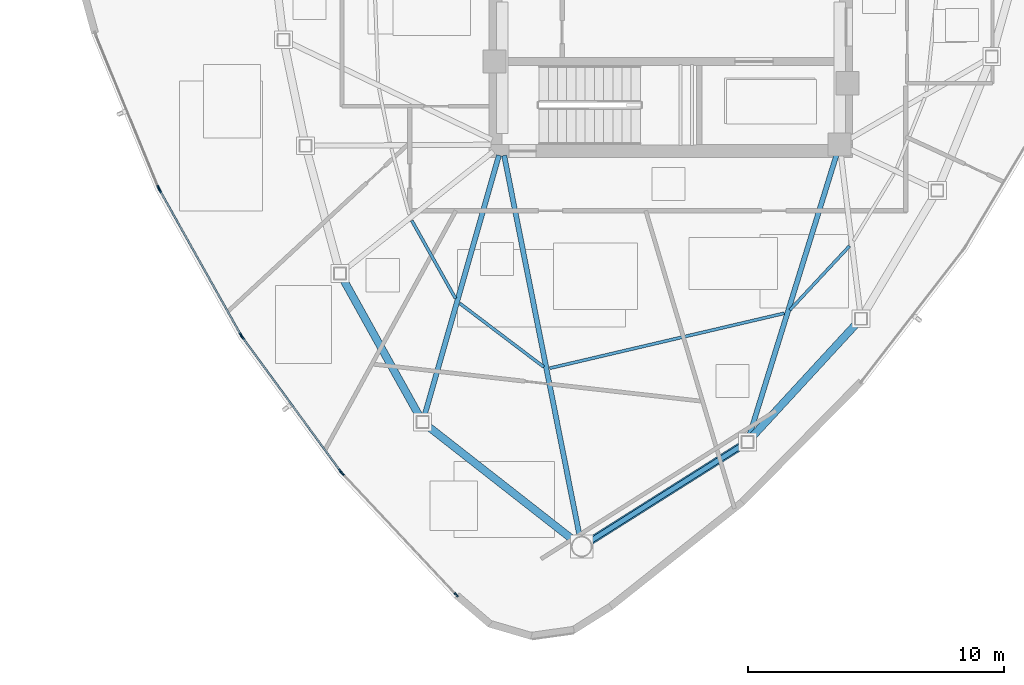
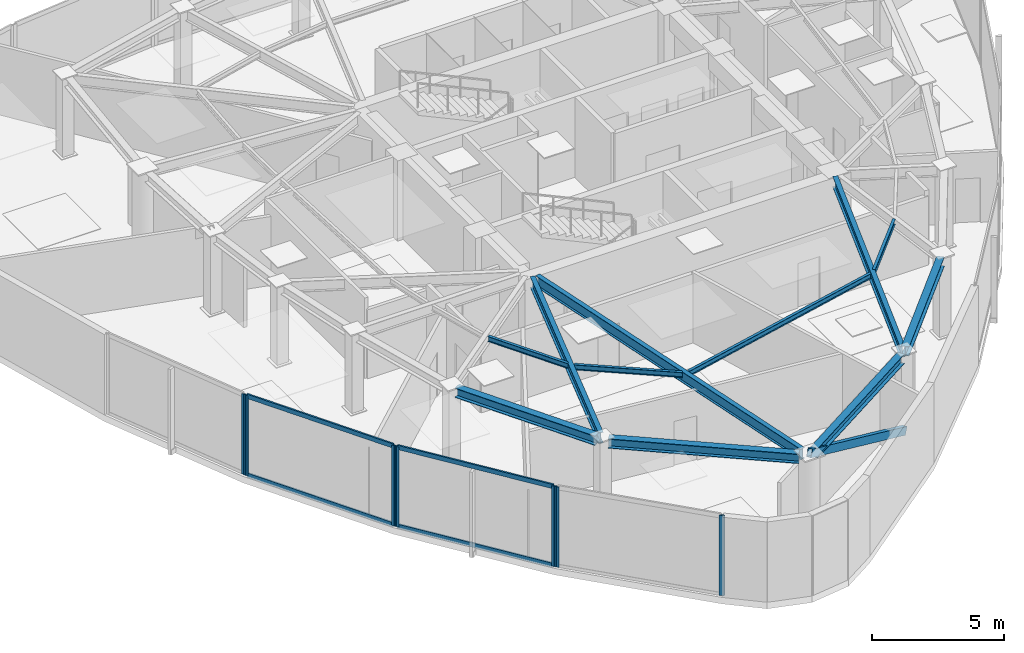
# One storey, part 2 of 12: 12 members, 11 beams, 4 elements without a shape of their own.
"""IFC4 building model written with IfcOpenShell, lengths in metres."""

from ifc_helpers import new_model, si_unit, direction, frame, origin, origin_2d, place, context, subcontext, project, spatial, hollow_rectangle, i_section, extrude, source, transform, mapped, material, layer, layer_set, material_profile, profile_set, type_object, type_shapes, element, aggregate, save


model = new_model("IFC4")

# Units and contexts
model_context = context("Model", 3, precision=1e-05, world=origin(), true_north=direction((0.0, 1.0)))
body_context = subcontext(model_context, "Body", "Model", "MODEL_VIEW")
ifc_project = project(units=[si_unit("LENGTHUNIT", "METRE"), si_unit("AREAUNIT", "SQUARE_METRE"), si_unit("VOLUMEUNIT", "CUBIC_METRE"), si_unit("PLANEANGLEUNIT", "RADIAN"), si_unit("MASSUNIT", "GRAM", prefix="KILO")], contexts=[model_context])

# Site, building, storey
site_placement = place(None, origin())
site = spatial("IfcSite", under=ifc_project, at=site_placement, CompositionType="ELEMENT")
building_placement = place(site_placement, origin())
building = spatial("IfcBuilding", under=site, at=building_placement, Name="Tavelor Broadcast Tower", CompositionType="ELEMENT")
storey_placement = place(building_placement, frame((0.0, 0.0, 277.5)))
storey = spatial("IfcBuildingStorey", under=building, at=storey_placement, Name="L66", CompositionType="ELEMENT", Elevation=277.5)

# Beams
ifc_material_1 = material(Name="Steel S355", Category="steel")
ifc_material_profile_1 = material_profile(ifc_material_1, i_section(OverallWidth=0.1201171875, OverallDepth=0.239990234375, WebThickness=0.006103515625, FlangeThickness=0.009765625, at=origin_2d()), Name="IPE 240")
ifc_profile_set_1 = profile_set([ifc_material_profile_1], Name="Steel S355")
beam_type_1 = type_object("IfcBeamType", Name="Composite Floor Joist T7 IPE 240", PredefinedType="JOIST", material=ifc_profile_set_1)
beam_1_placement = place(storey_placement, frame((39.873779296875, 35.830078125, 3.580078125), z_axis=(0.489567395479, -0.871965461061, 0.0), x_axis=(0.871965461061, 0.489567395479, 0.0)))
element("IfcBeam", 1, at=beam_1_placement, inside=storey, type_object=beam_type_1, Name="L66 Secondary Composite Floor Joist 05", PredefinedType="JOIST", context=body_context, shape_type="SweptSolid", body=[
    extrude(i_section(OverallWidth=0.1201171875, OverallDepth=0.239990234375, WebThickness=0.006103515625, FlangeThickness=0.009765625, at=origin_2d()), origin(), (0.0, 0.0, 1.0), 3.4921875),
])
beam_2_placement = place(storey_placement, frame((41.74951171875, 32.594482421875, 3.580078125), z_axis=(0.797312398186, -0.603566847747, 0.0), x_axis=(0.603566847747, 0.797312398186, 0.0)))
element("IfcBeam", 2, at=beam_2_placement, inside=storey, type_object=beam_type_1, Name="L66 Secondary Composite Floor Joist 06", PredefinedType="JOIST", context=body_context, shape_type="SweptSolid", body=[
    extrude(i_section(OverallWidth=0.1201171875, OverallDepth=0.239990234375, WebThickness=0.006103515625, FlangeThickness=0.009765625, at=origin_2d()), origin(), (0.0, 0.0, 1.0), 4.121826171875),
])
beam_3_placement = place(storey_placement, frame((45.264404296875, 30.058349609375, 3.580078125), z_axis=(0.973614241708, 0.228200149746, 0.0), x_axis=(-0.228200149746, 0.973614241708, 0.0)))
element("IfcBeam", 3, at=beam_3_placement, inside=storey, type_object=beam_type_1, Name="L66 Secondary Composite Floor Joist 07", PredefinedType="JOIST", context=body_context, shape_type="SweptSolid", body=[
    extrude(i_section(OverallWidth=0.1201171875, OverallDepth=0.239990234375, WebThickness=0.006103515625, FlangeThickness=0.009765625, at=origin_2d()), origin(), (0.0, 0.0, 1.0), 9.422119140625),
])
beam_4_placement = place(storey_placement, frame((54.651611328125, 32.332275390625, 3.580078125), z_axis=(0.681448823195, 0.731865767314, 0.0), x_axis=(-0.731865767314, 0.681448823195, 0.0)))
element("IfcBeam", 4, at=beam_4_placement, inside=storey, type_object=beam_type_1, Name="L66 Secondary Composite Floor Joist 08", PredefinedType="JOIST", context=body_context, shape_type="SweptSolid", body=[
    extrude(i_section(OverallWidth=0.1201171875, OverallDepth=0.239990234375, WebThickness=0.006103515625, FlangeThickness=0.009765625, at=origin_2d()), origin(), (0.0, 0.0, 1.0), 3.423583984375),
])
ifc_material_profile_2 = material_profile(ifc_material_1, i_section(OverallWidth=0.300048828125, OverallDepth=0.43994140625, WebThickness=0.011474609375, FlangeThickness=0.02099609375, at=origin_2d()), Name="HEA 450")
ifc_profile_set_2 = profile_set([ifc_material_profile_2], Name="Steel S355")
beam_type_2 = type_object("IfcBeamType", Name="Perimeter Spandrel Beam T7 HEA 450", PredefinedType="SPANDREL", material=ifc_profile_set_2)
beam_5_placement = place(storey_placement, frame((37.184814453125, 33.5498046875, 3.47998046875), z_axis=(0.485969141936, -0.873975968254, 0.0), x_axis=(0.873975968254, 0.485969141936, 0.0)))
element("IfcBeam", 5, at=beam_5_placement, inside=storey, type_object=beam_type_2, Name="L66 Framed-Tube Ring Spandrel 05", PredefinedType="SPANDREL", context=body_context, shape_type="SweptSolid", body=[
    extrude(i_section(OverallWidth=0.300048828125, OverallDepth=0.43994140625, WebThickness=0.011474609375, FlangeThickness=0.02099609375, at=origin_2d()), origin(), (0.0, 0.0, 1.0), 6.1630859375),
])
beam_6_placement = place(storey_placement, frame((40.485595703125, 27.8056640625, 3.47998046875), z_axis=(0.787521309141, -0.616287422919, 0.0), x_axis=(0.616287422919, 0.787521309141, 0.0)))
element("IfcBeam", 6, at=beam_6_placement, inside=storey, type_object=beam_type_2, Name="L66 Framed-Tube Ring Spandrel 06", PredefinedType="SPANDREL", context=body_context, shape_type="SweptSolid", body=[
    extrude(i_section(OverallWidth=0.300048828125, OverallDepth=0.43994140625, WebThickness=0.011474609375, FlangeThickness=0.02099609375, at=origin_2d()), origin(), (0.0, 0.0, 1.0), 7.265625),
])
beam_7_placement = place(storey_placement, frame((46.8447265625, 23.295654296875, 3.47998046875), z_axis=(0.845617600782, 0.53378916554, 0.0), x_axis=(-0.53378916554, 0.845617600782, 0.0)))
element("IfcBeam", 7, at=beam_7_placement, inside=storey, type_object=beam_type_2, Name="L66 Framed-Tube Ring Spandrel 07", PredefinedType="SPANDREL", context=body_context, shape_type="SweptSolid", body=[
    extrude(i_section(OverallWidth=0.300048828125, OverallDepth=0.43994140625, WebThickness=0.011474609375, FlangeThickness=0.02099609375, at=origin_2d()), origin(), (0.0, 0.0, 1.0), 7.03076171875),
])
beam_8_placement = place(storey_placement, frame((53.15576171875, 27.353271484375, 3.47998046875), z_axis=(0.677736891139, 0.735304499095, 0.0), x_axis=(-0.735304499095, 0.677736891139, 0.0)))
element("IfcBeam", 8, at=beam_8_placement, inside=storey, type_object=beam_type_2, Name="L66 Framed-Tube Ring Spandrel 08", PredefinedType="SPANDREL", context=body_context, shape_type="SweptSolid", body=[
    extrude(i_section(OverallWidth=0.300048828125, OverallDepth=0.43994140625, WebThickness=0.011474609375, FlangeThickness=0.02099609375, at=origin_2d()), origin(), (0.0, 0.0, 1.0), 6.06884765625),
])

# Member
ifc_material_profile_3 = material_profile(ifc_material_1, hollow_rectangle(XDim=0.199951171875, YDim=0.35009765625, WallThickness=0.01611328125, at=origin_2d()), Name="RHS 350x200x16")
ifc_profile_set_3 = profile_set([ifc_material_profile_3], Name="Steel S355")
member_type_1 = type_object("IfcMemberType", Name="Perimeter Tube Brace T7 RHS 350x200x16", PredefinedType="BRACE", material=ifc_profile_set_3)
member_1_placement = place(storey_placement, frame((52.992919921875, 27.1767578125, 0.0), z_axis=(-0.761462376336, -0.480666847696, 0.434895885184), x_axis=(0.533789146824, -0.845617612596, 0.0)))
element("IfcMember", 9, at=member_1_placement, inside=storey, type_object=member_type_1, Name="L66 Corner Tube Diagonal Brace 2", PredefinedType="BRACE", context=body_context, shape_type="SweptSolid", body=[
    extrude(hollow_rectangle(XDim=0.199951171875, YDim=0.35009765625, WallThickness=0.01611328125, at=origin_2d()), origin(), (0.0, 0.0, 1.0), 8.507568359375),
])

# Beams
ifc_material_profile_4 = material_profile(ifc_material_1, i_section(OverallWidth=0.199951171875, OverallDepth=0.5, WebThickness=0.01025390625, FlangeThickness=0.01611328125, at=origin_2d()), Name="IPE 500")
ifc_profile_set_4 = profile_set([ifc_material_profile_4], Name="Steel S355")
beam_type_3 = type_object("IfcBeamType", Name="Radial Floor Girder T7 IPE 500", PredefinedType="BEAM", material=ifc_profile_set_4)
beam_9_placement = place(storey_placement, frame((43.28125, 38.384765625, 3.449951171875), z_axis=(-0.275094925197, -0.961417069815, 0.0), x_axis=(0.961417069815, -0.275094925197, 0.0)))
element("IfcBeam", 10, at=beam_9_placement, inside=storey, type_object=beam_type_3, Name="L66 Radial Primary Floor Girder 06", PredefinedType="BEAM", context=body_context, shape_type="SweptSolid", body=[
    extrude(i_section(OverallWidth=0.199951171875, OverallDepth=0.5, WebThickness=0.01025390625, FlangeThickness=0.01611328125, at=origin_2d()), origin(), (0.0, 0.0, 1.0), 10.60986328125),
])
beam_10_placement = place(storey_placement, frame((43.48388671875, 38.376220703125, 3.449951171875), z_axis=(0.19444745334, -0.980912935938, 0.0), x_axis=(0.980912935938, 0.19444745334, 0.0)))
element("IfcBeam", 11, at=beam_10_placement, inside=storey, type_object=beam_type_3, Name="L66 Radial Primary Floor Girder 07", PredefinedType="BEAM", context=body_context, shape_type="SweptSolid", body=[
    extrude(i_section(OverallWidth=0.199951171875, OverallDepth=0.5, WebThickness=0.01025390625, FlangeThickness=0.01611328125, at=origin_2d()), origin(), (0.0, 0.0, 1.0), 15.196044921875),
])
beam_11_placement = place(storey_placement, frame((56.471923828125, 38.387451171875, 3.449951171875), z_axis=(-0.296373836186, -0.955072012585, 0.0), x_axis=(0.955072012585, -0.296373836186, 0.0)))
element("IfcBeam", 12, at=beam_11_placement, inside=storey, type_object=beam_type_3, Name="L66 Radial Primary Floor Girder 08", PredefinedType="BEAM", context=body_context, shape_type="SweptSolid", body=[
    extrude(i_section(OverallWidth=0.199951171875, OverallDepth=0.5, WebThickness=0.01025390625, FlangeThickness=0.01611328125, at=origin_2d()), origin(), (0.0, 0.0, 1.0), 11.498046875),
])

# Curtain wall, member
ifc_material_2 = material(Name="Architectural Anodized Aluminium", Category="aluminium")
ifc_layer = layer(ifc_material_2, 0.199951171875)
ifc_layer_set = layer_set([ifc_layer], Name="Architectural Anodized Aluminium")
curtain_wall_type = type_object("IfcCurtainWallType", Name="Tower High-Zone Triple-Glazed Curtain Wall CW04", PredefinedType="NOTDEFINED", material=ifc_layer_set)
curtain_wall_1_placement = place(storey_placement, origin())
curtain_wall_1 = element("IfcCurtainWall", 13, at=curtain_wall_1_placement, inside=storey, type_object=curtain_wall_type, Name="L66 Curtain Wall CW04 Run 721", PredefinedType="NOTDEFINED")
ifc_material_profile_5 = material_profile(ifc_material_2, hollow_rectangle(XDim=0.070068359375, YDim=0.199951171875, WallThickness=0.02197265625, at=origin_2d()), Name="RHS 70x200x22")
ifc_profile_set_5 = profile_set([ifc_material_profile_5], Name="Architectural Anodized Aluminium")
member_type_2 = type_object("IfcMemberType", Name="CW04 Extruded Aluminium Mullion 70x200", PredefinedType="MULLION", material=ifc_profile_set_5)
shared_shape_1 = source(origin(), body_context, "Body", "SweptSolid", [
    extrude(hollow_rectangle(XDim=0.070068359375, YDim=0.199951171875, WallThickness=0.02197265625, at=origin_2d()), origin(), (0.0, 0.0, 1.0), 3.699951171875),
])
type_shapes(member_type_2, [shared_shape_1])
member_2_placement = place(storey_placement, frame((29.97265625, 37.1142578125, 0.0), z_axis=(0.0, 0.0, 1.0), x_axis=(0.925041930308, 0.379865011777, 0.0)))
member_2 = element("IfcMember", 14, at=member_2_placement, type_object=member_type_2, Name="CW04 mullion 2", PredefinedType="MULLION", context=body_context, shape_type="MappedRepresentation", body=[
    mapped(shared_shape_1, transform((0.0, 0.0, 0.0), scale=1.0)),
])
aggregate(curtain_wall_1, [member_2])

# Curtain wall, members
curtain_wall_2_placement = place(storey_placement, origin())
curtain_wall_2 = element("IfcCurtainWall", 15, at=curtain_wall_2_placement, inside=storey, type_object=curtain_wall_type, Name="L66 Curtain Wall CW04 Run 722", PredefinedType="NOTDEFINED")
member_3_placement = place(storey_placement, frame((30.01611328125, 37.0244140625, 0.0), z_axis=(0.0, 0.0, 1.0), x_axis=(0.87228527505, 0.488997340413, 0.0)))
member_3 = element("IfcMember", 16, at=member_3_placement, type_object=member_type_2, Name="CW04 mullion 1", PredefinedType="MULLION", context=body_context, shape_type="MappedRepresentation", body=[
    mapped(shared_shape_1, transform((0.0, 0.0, 0.0), scale=1.0)),
])
member_4_placement = place(storey_placement, frame((33.194091796875, 31.35546875, 0.0), z_axis=(0.0, 0.0, 1.0), x_axis=(0.87228527505, 0.488997340413, 0.0)))
member_4 = element("IfcMember", 17, at=member_4_placement, type_object=member_type_2, Name="CW04 mullion 2", PredefinedType="MULLION", context=body_context, shape_type="MappedRepresentation", body=[
    mapped(shared_shape_1, transform((0.0, 0.0, 0.0), scale=1.0)),
])

curtain_wall_3_placement = place(storey_placement, origin())
curtain_wall_3 = element("IfcCurtainWall", 18, at=curtain_wall_3_placement, inside=storey, type_object=curtain_wall_type, Name="L66 Curtain Wall CW04 Run 723", PredefinedType="NOTDEFINED")
member_5_placement = place(storey_placement, frame((33.248046875, 31.271484375, 0.0), z_axis=(0.0, 0.0, 1.0), x_axis=(0.806695768167, 0.590966951379, 0.0)))
member_5 = element("IfcMember", 19, at=member_5_placement, type_object=member_type_2, Name="CW04 mullion 1", PredefinedType="MULLION", context=body_context, shape_type="MappedRepresentation", body=[
    mapped(shared_shape_1, transform((0.0, 0.0, 0.0), scale=1.0)),
])
member_6_placement = place(storey_placement, frame((37.088623046875, 26.02880859375, 0.0), z_axis=(0.0, 0.0, 1.0), x_axis=(0.806695768167, 0.590966951379, 0.0)))
member_6 = element("IfcMember", 20, at=member_6_placement, type_object=member_type_2, Name="CW04 mullion 2", PredefinedType="MULLION", context=body_context, shape_type="MappedRepresentation", body=[
    mapped(shared_shape_1, transform((0.0, 0.0, 0.0), scale=1.0)),
])

curtain_wall_4_placement = place(storey_placement, origin())
curtain_wall_4 = element("IfcCurtainWall", 21, at=curtain_wall_4_placement, inside=storey, type_object=curtain_wall_type, Name="L66 Curtain Wall CW04 Run 724", PredefinedType="NOTDEFINED")
member_7_placement = place(storey_placement, frame((37.152587890625, 25.9521484375, 0.0), z_axis=(0.0, 0.0, 1.0), x_axis=(0.729254881824, 0.684242148173, 0.0)))
member_7 = element("IfcMember", 22, at=member_7_placement, type_object=member_type_2, Name="CW04 mullion 1", PredefinedType="MULLION", context=body_context, shape_type="MappedRepresentation", body=[
    mapped(shared_shape_1, transform((0.0, 0.0, 0.0), scale=1.0)),
])
member_8_placement = place(storey_placement, frame((41.6103515625, 21.201171875, 0.0), z_axis=(0.0, 0.0, 1.0), x_axis=(0.729254881824, 0.684242148173, 0.0)))
member_8 = element("IfcMember", 23, at=member_8_placement, type_object=member_type_2, Name="CW04 mullion 2", PredefinedType="MULLION", context=body_context, shape_type="MappedRepresentation", body=[
    mapped(shared_shape_1, transform((0.0, 0.0, 0.0), scale=1.0)),
])
aggregate(curtain_wall_4, [member_7, member_8])

# Member
ifc_material_profile_6 = material_profile(ifc_material_2, hollow_rectangle(XDim=0.070068359375, YDim=0.199951171875, WallThickness=0.02197265625, at=origin_2d()), Name="RHS 70x200x22")
ifc_profile_set_6 = profile_set([ifc_material_profile_6], Name="Architectural Anodized Aluminium")
member_type_3 = type_object("IfcMemberType", Name="CW04 Extruded Aluminium Transom 70x200", PredefinedType="USERDEFINED", material=ifc_profile_set_6)
shared_shape_2 = source(origin(), body_context, "Body", "SweptSolid", [
    extrude(hollow_rectangle(XDim=0.070068359375, YDim=0.199951171875, WallThickness=0.02197265625, at=origin_2d()), origin(), (0.0, 0.0, 1.0), 6.428955078125),
])
member_9_placement = place(storey_placement, frame((30.033203125, 36.993896484375, 0.034912109375), z_axis=(0.489002262023, -0.87228251601, 0.0), x_axis=(0.87228251601, 0.489002262023, 0.0)))
member_9 = element("IfcMember", 24, at=member_9_placement, type_object=member_type_3, Name="CW04 transom 1.1", ObjectType="TRANSOM", PredefinedType="USERDEFINED", context=body_context, shape_type="MappedRepresentation", body=[
    mapped(shared_shape_2, transform((0.0, 0.0, 0.0), scale=1.0)),
])

member_10_placement = place(storey_placement, frame((30.033203125, 36.993896484375, 3.6650390625), z_axis=(0.489002262023, -0.87228251601, 0.0), x_axis=(0.87228251601, 0.489002262023, 0.0)))
member_10 = element("IfcMember", 25, at=member_10_placement, type_object=member_type_3, Name="CW04 transom 1.2", ObjectType="TRANSOM", PredefinedType="USERDEFINED", context=body_context, shape_type="MappedRepresentation", body=[
    mapped(shared_shape_2, transform((0.0, 0.0, 0.0), scale=1.0)),
])

aggregate(curtain_wall_2, [member_3, member_4, member_9, member_10])

shared_shape_3 = source(origin(), body_context, "Body", "SweptSolid", [
    extrude(hollow_rectangle(XDim=0.070068359375, YDim=0.199951171875, WallThickness=0.02197265625, at=origin_2d()), origin(), (0.0, 0.0, 1.0), 6.4287109375),
])
type_shapes(member_type_3, [shared_shape_2, shared_shape_3])
member_11_placement = place(storey_placement, frame((33.268798828125, 31.2431640625, 0.034912109375), z_axis=(0.59098164271, -0.806685005426, 0.0), x_axis=(0.806685005426, 0.59098164271, 0.0)))
member_11 = element("IfcMember", 26, at=member_11_placement, type_object=member_type_3, Name="CW04 transom 1.1", ObjectType="TRANSOM", PredefinedType="USERDEFINED", context=body_context, shape_type="MappedRepresentation", body=[
    mapped(shared_shape_3, transform((0.0, 0.0, 0.0), scale=1.0)),
])

member_12_placement = place(storey_placement, frame((33.268798828125, 31.2431640625, 3.6650390625), z_axis=(0.59098164271, -0.806685005426, 0.0), x_axis=(0.806685005426, 0.59098164271, 0.0)))
member_12 = element("IfcMember", 27, at=member_12_placement, type_object=member_type_3, Name="CW04 transom 1.2", ObjectType="TRANSOM", PredefinedType="USERDEFINED", context=body_context, shape_type="MappedRepresentation", body=[
    mapped(shared_shape_3, transform((0.0, 0.0, 0.0), scale=1.0)),
])

aggregate(curtain_wall_3, [member_5, member_6, member_11, member_12])

save(model, "model.ifc")
